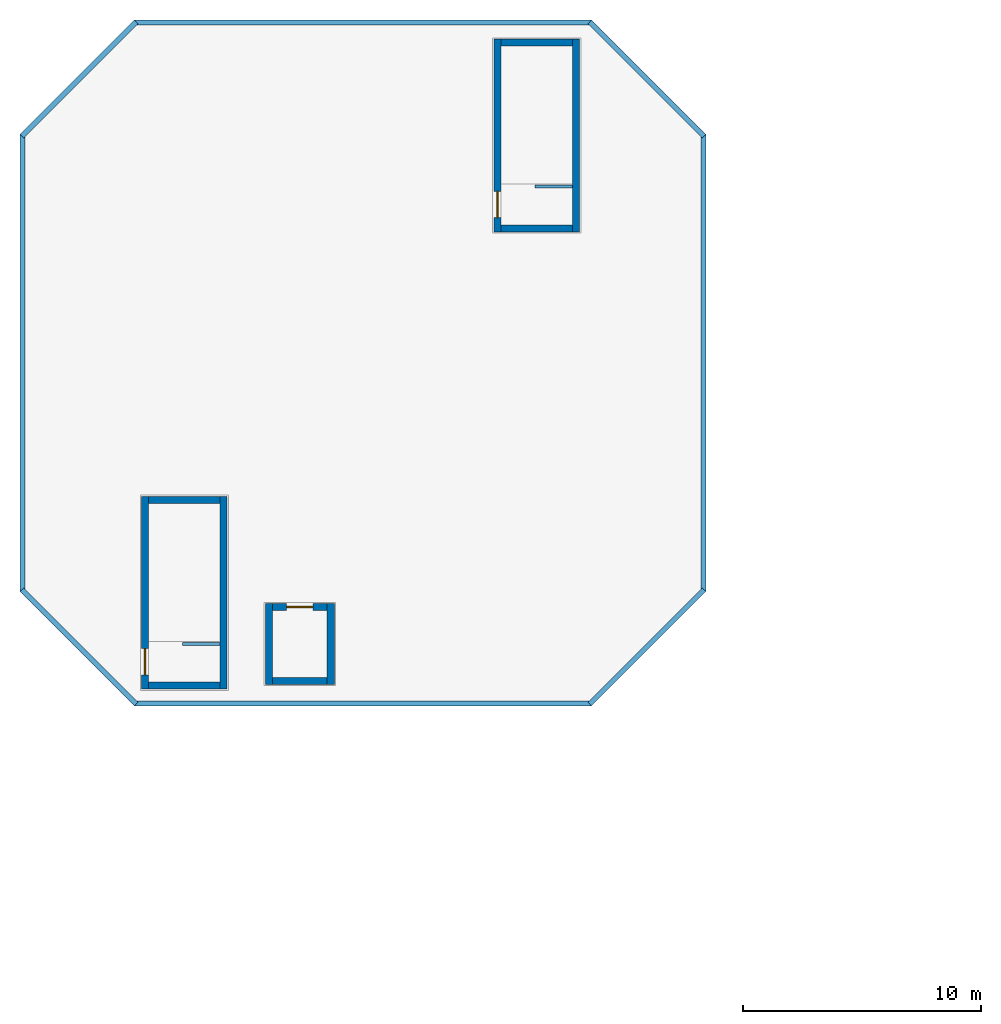
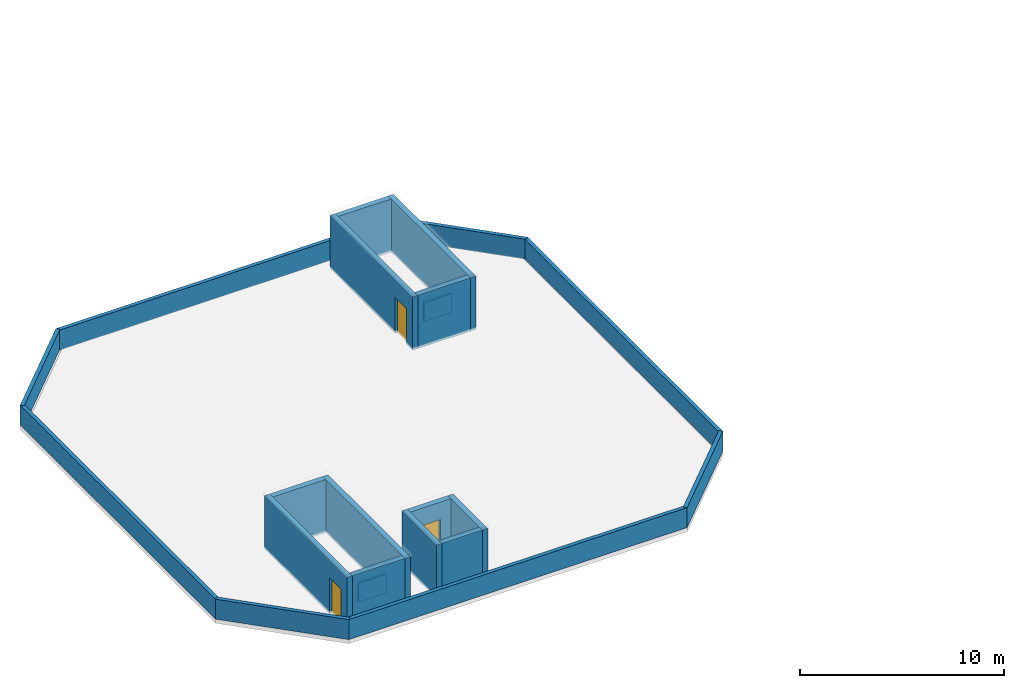
# One storey, part 14 of 22: 22 walls, 3 doors, 3 openings.
"""IFC4 building model written with IfcOpenShell, lengths in metres."""

import ifcopenshell
import ifcopenshell.guid

model = None  # the IFC model being written
_history = None  # IfcOwnerHistory: only IFC2X3 demands one
_inside = {}  # id of a spatial element -> (the spatial element, [elements in it])
_under = {}  # id of a project, library or spatial element -> (it, [spatial elements below it])
_declared = {}  # id of a project -> (the project, [libraries it declares])
_typed = {}  # id of a type object -> (the type object, [elements of that type])
_made_of = {}  # id of a material, layer set ... -> (it, [elements and type objects made of it])


def new_model(schema):
    """Start an empty IFC model of exactly this schema.

    Asked for "IFC4X3", IfcOpenShell would pick the latest addendum, in which some entities
    have other attributes; the version numbers below select the first issue.
    IFC2X3 requires an IfcOwnerHistory on every rooted entity: one is made here for all.
    """
    global model, _history
    if schema == "IFC4X3":
        model = ifcopenshell.file(schema_version=(4, 3, 0, 0))
    else:
        model = ifcopenshell.file(schema=schema)
    _inside.clear()
    _under.clear()
    _declared.clear()
    _typed.clear()
    _made_of.clear()
    _history = None
    if model.schema == "IFC2X3":
        org = make("IfcOrganization", Name="unknown")
        user = make(
            "IfcPersonAndOrganization",
            ThePerson=make("IfcPerson", FamilyName="unknown"),
            TheOrganization=org,
        )
        app = make(
            "IfcApplication",
            ApplicationDeveloper=org,
            Version="unknown",
            ApplicationFullName="unknown",
            ApplicationIdentifier="unknown",
        )
        _history = make(
            "IfcOwnerHistory",
            OwningUser=user,
            OwningApplication=app,
            ChangeAction="ADDED",
            CreationDate=0,
        )
    return model


def make(cls, **values):
    """One entity of the class cls with the attributes given. An attribute that is None is left unset."""
    return model.create_entity(
        cls, **{name: value for name, value in values.items() if value is not None}
    )


def rooted(cls, **values):
    """An entity with a GlobalId (a new one), such as an element, a storey or a relation."""
    return make(cls, GlobalId=ifcopenshell.guid.new(), OwnerHistory=_history, **values)


def si_unit(unit_type, name, prefix=None):
    """IfcSIUnit, for example si_unit("LENGTHUNIT", "METRE", prefix="MILLI")."""
    return make("IfcSIUnit", UnitType=unit_type, Prefix=prefix, Name=name)


def assignment(units):
    """IfcUnitAssignment: the units of a project."""
    return None if units is None else make("IfcUnitAssignment", Units=units)


def point(xyz):
    """IfcCartesianPoint."""
    return None if xyz is None else make("IfcCartesianPoint", Coordinates=xyz)


def direction(xyz):
    """IfcDirection."""
    return None if xyz is None else make("IfcDirection", DirectionRatios=xyz)


def frame(location, z_axis=None, x_axis=None):
    """IfcAxis2Placement3D, a coordinate frame: its origin and axes. An axis left out is left unset."""
    return make(
        "IfcAxis2Placement3D",
        Location=point(location),
        Axis=direction(z_axis),
        RefDirection=direction(x_axis),
    )


def frame_2d(location, x_axis=None):
    """IfcAxis2Placement2D, a coordinate frame in the plane: its origin and x axis."""
    return make(
        "IfcAxis2Placement2D", Location=point(location), RefDirection=direction(x_axis)
    )


def origin():
    """The frame at (0, 0, 0) with its axes left unset."""
    return frame((0.0, 0.0, 0.0))


def place(relative_to, where):
    """IfcLocalPlacement: puts the frame where relative to a parent placement (None: the world)."""
    return make(
        "IfcLocalPlacement", PlacementRelTo=relative_to, RelativePlacement=where
    )


def context(
    kind, dimensions, precision=None, world=None, true_north=None, identifier=None
):
    """IfcGeometricRepresentationContext, for example the 3D "Model" context."""
    return make(
        "IfcGeometricRepresentationContext",
        ContextIdentifier=identifier,
        ContextType=kind,
        CoordinateSpaceDimension=dimensions,
        Precision=precision,
        WorldCoordinateSystem=world,
        TrueNorth=true_north,
    )


def subcontext(parent, identifier, kind, view, scale=None):
    """IfcGeometricRepresentationSubContext, for example "Body" below "Model"."""
    return make(
        "IfcGeometricRepresentationSubContext",
        ContextIdentifier=identifier,
        ContextType=kind,
        ParentContext=parent,
        TargetScale=scale,
        TargetView=view,
    )


def project(units=None, contexts=None):
    """IfcProject with its units and contexts."""
    return rooted(
        "IfcProject",
        Name="project",
        RepresentationContexts=contexts,
        UnitsInContext=assignment(units),
    )


def spatial(cls, under=None, at=None, **own):
    """A site, building, storey or space (cls), placed at a placement, below another one or the project."""
    s = rooted(cls, ObjectPlacement=at, **own)
    if under is not None:
        _under.setdefault(under.id(), (under, []))[1].append(s)
    return s


def profile(cls, at=None, kind="AREA", **sizes):
    """A parametric profile (cls). Its sizes go by their IFC names, for example OverallWidth=200.0."""
    return make(cls, ProfileType=kind, Position=at, **sizes)


def rectangle(**sizes):
    """IfcRectangleProfileDef."""
    return profile("IfcRectangleProfileDef", **sizes)


def extrude(swept, where, along, depth):
    """IfcExtrudedAreaSolid: the profile swept, set in the frame where, extruded along a direction by depth."""
    return make(
        "IfcExtrudedAreaSolid",
        SweptArea=swept,
        Position=where,
        ExtrudedDirection=direction(along),
        Depth=depth,
    )


def shape(context_of_items, identifier, shape_type, items):
    """IfcShapeRepresentation: the items that make up one representation, for example the "Body"."""
    return make(
        "IfcShapeRepresentation",
        ContextOfItems=context_of_items,
        RepresentationIdentifier=identifier,
        RepresentationType=shape_type,
        Items=items,
    )


def material(Name=None, Category=None):
    """IfcMaterial."""
    return make("IfcMaterial", Name=Name, Category=Category)


def layer(
    of_material, thickness, ventilated=None, Name=None, Category=None, Priority=None
):
    """IfcMaterialLayer: one layer of a wall or slab, of a material (None: an air gap)."""
    return make(
        "IfcMaterialLayer",
        Material=of_material,
        LayerThickness=thickness,
        IsVentilated=ventilated,
        Name=Name,
        Category=Category,
        Priority=Priority,
    )


def layer_set(layers, Name=None):
    """IfcMaterialLayerSet."""
    return make("IfcMaterialLayerSet", MaterialLayers=layers, LayerSetName=Name)


def made_of(thing, what):
    """Note that an element or type object is made of a material, layer set ...; save() writes the relation."""
    if what is not None:
        _made_of.setdefault(what.id(), (what, []))[1].append(thing)
    return thing


def type_object(cls, material=None, **own):
    """A type object (cls), such as IfcWallType, which elements share."""
    return made_of(rooted(cls, **own), material)


def element(
    cls,
    number,
    at=None,
    inside=None,
    cuts=None,
    type_object=None,
    material=None,
    context=None,
    identifier="Body",
    shape_type=None,
    held_by="IfcProductDefinitionShape",
    body=None,
    shapes=None,
    **own,
):
    """One element of the class cls, such as IfcWall. Its Tag is "e" and its number.

    at: its placement. inside: the storey or other place that contains it. cuts: it is an
    opening in that element (IfcRelVoidsElement). A single representation is given by context,
    identifier, shape_type and body (its items); several are given by shapes. held_by: the class
    of the entity that holds the representations. save() writes the other relations.
    """
    e = rooted(cls, Tag="e%d" % number, ObjectPlacement=at, **own)
    if body is not None:
        shapes = [shape(context, identifier, shape_type, body)]
    if shapes is not None:
        e.Representation = make(held_by, Representations=shapes)
    if inside is not None:
        _inside.setdefault(inside.id(), (inside, []))[1].append(e)
    if cuts is not None:
        rooted(
            "IfcRelVoidsElement", RelatingBuildingElement=cuts, RelatedOpeningElement=e
        )
    if type_object is not None:
        _typed.setdefault(type_object.id(), (type_object, []))[1].append(e)
    return made_of(e, material)


def fill(opening, filler):
    """IfcRelFillsElement: the door or window that sits in an opening."""
    return rooted(
        "IfcRelFillsElement",
        RelatingOpeningElement=opening,
        RelatedBuildingElement=filler,
    )


def aggregate(whole, parts):
    """IfcRelAggregates: a whole, such as a stair, and the parts it consists of."""
    return rooted("IfcRelAggregates", RelatingObject=whole, RelatedObjects=parts)


def save(model, path):
    """Write the relations noted so far, then the file.

    IfcRelAggregates (storeys below a building ...), IfcRelContainedInSpatialStructure (elements
    in a storey), IfcRelDefinesByType, IfcRelAssociatesMaterial and IfcRelDeclares: one each for
    every whole, place, type object, material and project.
    """
    for whole, parts in _under.values():
        aggregate(whole, parts)
    for where, things in _inside.values():
        rooted(
            "IfcRelContainedInSpatialStructure",
            RelatedElements=things,
            RelatingStructure=where,
        )
    for kind, things in _typed.values():
        rooted("IfcRelDefinesByType", RelatedObjects=things, RelatingType=kind)
    for what, things in _made_of.values():
        rooted("IfcRelAssociatesMaterial", RelatedObjects=things, RelatingMaterial=what)
    for by, libraries in _declared.values():
        rooted("IfcRelDeclares", RelatingContext=by, RelatedDefinitions=libraries)
    model.write(path)


model = new_model("IFC4")

# Units and contexts
model_context = context("Model", 3, precision=1e-05, world=origin(), true_north=direction((0.0, 1.0)))
body_context = subcontext(model_context, "Body", "Model", "MODEL_VIEW")
ifc_project = project(units=[si_unit("LENGTHUNIT", "METRE"), si_unit("AREAUNIT", "SQUARE_METRE"), si_unit("VOLUMEUNIT", "CUBIC_METRE"), si_unit("PLANEANGLEUNIT", "RADIAN"), si_unit("MASSUNIT", "GRAM", prefix="KILO")], contexts=[model_context])

# Site, building, storey
site_placement = place(None, origin())
site = spatial("IfcSite", under=ifc_project, at=site_placement, CompositionType="ELEMENT")
building_placement = place(site_placement, origin())
building = spatial("IfcBuilding", under=site, at=building_placement, Name="Almandine Court Research Institute", CompositionType="ELEMENT")
storey_placement = place(building_placement, frame((0.0, 0.0, 28.0)))
storey = spatial("IfcBuildingStorey", under=building, at=storey_placement, Name="L06", CompositionType="ELEMENT", Elevation=28.0)

# Walls
ifc_material_1 = material(Name="Precast Concrete C40/50", Category="concrete")
ifc_layer_1 = layer(ifc_material_1, 0.2099609375)
ifc_layer_set_1 = layer_set([ifc_layer_1], Name="Precast Concrete C40/50")
wall_type_1 = type_object("IfcWallType", Name="Wall-PAR-210", PredefinedType="PARAPET", material=ifc_layer_set_1)
wall_1_placement = place(storey_placement, frame((10.800048828125, 84.110107421875, 0.0), z_axis=(0.0, 0.0, 1.0), x_axis=(1.0, 0.0, 0.0)))
element("IfcWall", 1, at=wall_1_placement, inside=storey, type_object=wall_type_1, Name="L06 Roof Perimeter Parapet 001", PredefinedType="PARAPET", context=body_context, shape_type="SweptSolid", body=[
    extrude(rectangle(XDim=19.199951171875, YDim=0.2099609375, at=frame_2d((9.60009765625, 0.0))), origin(), (0.0, 0.0, 1.0), 1.199951171875),
])
wall_2_placement = place(storey_placement, frame((29.922119140625, 84.077880859375, 0.0), z_axis=(0.0, 0.0, 1.0), x_axis=(0.707088798028, 0.707124763888, 0.0)))
element("IfcWall", 2, at=wall_2_placement, inside=storey, type_object=wall_type_1, Name="L06 Roof Perimeter Parapet 002", PredefinedType="PARAPET", context=body_context, shape_type="SweptSolid", body=[
    extrude(rectangle(XDim=6.7880859375, YDim=0.2099609375, at=frame_2d((3.39404296875, 0.0))), origin(), (0.0, 0.0, 1.0), 1.199951171875),
])
wall_3_placement = place(storey_placement, frame((34.68994140625, 88.800048828125, 0.0), z_axis=(0.0, 0.0, 1.0), x_axis=(0.0, 1.0, 0.0)))
element("IfcWall", 3, at=wall_3_placement, inside=storey, type_object=wall_type_1, Name="L06 Roof Perimeter Parapet 003", PredefinedType="PARAPET", context=body_context, shape_type="SweptSolid", body=[
    extrude(rectangle(XDim=19.199951171875, YDim=0.2099609375, at=frame_2d((9.60009765625, 0.0))), origin(), (0.0, 0.0, 1.0), 1.199951171875),
])
wall_4_placement = place(storey_placement, frame((34.721923828125, 107.922119140625, 0.0), z_axis=(0.0, 0.0, 1.0), x_axis=(-0.707106781187, 0.707106781187, 0.0)))
element("IfcWall", 4, at=wall_4_placement, inside=storey, type_object=wall_type_1, Name="L06 Roof Perimeter Parapet 004", PredefinedType="PARAPET", context=body_context, shape_type="SweptSolid", body=[
    extrude(rectangle(XDim=6.787841796875, YDim=0.2099609375, at=frame_2d((3.39404296875, 0.0))), origin(), (0.0, 0.0, 1.0), 1.199951171875),
])
wall_5_placement = place(storey_placement, frame((30.0, 112.68994140625, 0.0), z_axis=(0.0, 0.0, 1.0), x_axis=(-1.0, 0.0, 0.0)))
element("IfcWall", 5, at=wall_5_placement, inside=storey, type_object=wall_type_1, Name="L06 Roof Perimeter Parapet 005", PredefinedType="PARAPET", context=body_context, shape_type="SweptSolid", body=[
    extrude(rectangle(XDim=19.199951171875, YDim=0.2099609375, at=frame_2d((9.60009765625, 0.0))), origin(), (0.0, 0.0, 1.0), 1.199951171875),
])
wall_6_placement = place(storey_placement, frame((10.8779296875, 112.721923828125, 0.0), z_axis=(0.0, 0.0, 1.0), x_axis=(-0.707124763888, -0.707088798028, 0.0)))
element("IfcWall", 6, at=wall_6_placement, inside=storey, type_object=wall_type_1, Name="L06 Roof Perimeter Parapet 006", PredefinedType="PARAPET", context=body_context, shape_type="SweptSolid", body=[
    extrude(rectangle(XDim=6.7880859375, YDim=0.2099609375, at=frame_2d((3.39404296875, 0.0))), origin(), (0.0, 0.0, 1.0), 1.199951171875),
])
wall_7_placement = place(storey_placement, frame((6.110107421875, 108.0, 0.0), z_axis=(0.0, 0.0, 1.0), x_axis=(0.0, -1.0, 0.0)))
element("IfcWall", 7, at=wall_7_placement, inside=storey, type_object=wall_type_1, Name="L06 Roof Perimeter Parapet 007", PredefinedType="PARAPET", context=body_context, shape_type="SweptSolid", body=[
    extrude(rectangle(XDim=19.199951171875, YDim=0.2099609375, at=frame_2d((9.60009765625, 0.0))), origin(), (0.0, 0.0, 1.0), 1.199951171875),
])
wall_8_placement = place(storey_placement, frame((6.077880859375, 88.8779296875, 0.0), z_axis=(0.0, 0.0, 1.0), x_axis=(0.707106781187, -0.707106781187, 0.0)))
element("IfcWall", 8, at=wall_8_placement, inside=storey, type_object=wall_type_1, Name="L06 Roof Perimeter Parapet 008", PredefinedType="PARAPET", context=body_context, shape_type="SweptSolid", body=[
    extrude(rectangle(XDim=6.788330078125, YDim=0.2099609375, at=frame_2d((3.39404296875, 0.0))), origin(), (0.0, 0.0, 1.0), 1.199951171875),
])
ifc_material_2 = material(Name="Lightweight Drywall Office Partition")
ifc_layer_2 = layer(ifc_material_2, 0.125)
ifc_layer_set_2 = layer_set([ifc_layer_2], Name="Lightweight Drywall Office Partition")
wall_type_2 = type_object("IfcWallType", Name="Wall-PART-125", PredefinedType="PARTITIONING", material=ifc_layer_set_2)
for number, where, z_axis, x_axis, name in (
    (9, (14.39990234375, 86.60009765625, 0.0), (0.0, 0.0, 1.0), (-1.0, 0.0, 0.0), "L06 ST-05 Penthouse Well Curb Wall 1"),
    (10, (29.199951171875, 105.800048828125, 0.0), (0.0, 0.0, 1.0), (-1.0, 0.0, 0.0), "L06 ST-06 Penthouse Well Curb Wall 1"),
):
    element("IfcWall", number, at=place(storey_placement, frame(where, z_axis=z_axis, x_axis=x_axis)), inside=storey, type_object=wall_type_2, Name=name, PredefinedType="PARTITIONING", context=body_context, shape_type="SweptSolid", body=[
        extrude(rectangle(XDim=1.579833984375, YDim=0.125, at=frame_2d((0.7900390625, 0.0))), origin(), (0.0, 0.0, 1.0), 1.14990234375),
    ])

# Wall, opening, door
ifc_material_3 = material(Name="Concrete C40/50", Category="concrete")
ifc_layer_3 = layer(ifc_material_3, 0.300048828125)
ifc_layer_set_3 = layer_set([ifc_layer_3], Name="Concrete C40/50")
wall_type_3 = type_object("IfcWallType", Name="Wall-SW-CORE-300-E", PredefinedType="SHEAR", material=ifc_layer_set_3)
wall_9_placement = place(storey_placement, frame((11.25, 84.699951171875, 0.0), z_axis=(0.0, 0.0, 1.0), x_axis=(0.0, 1.0, 0.0)))
wall_9 = element("IfcWall", 11, at=wall_9_placement, inside=storey, type_object=wall_type_3, Name="L06 ST-05 Penthouse W Shear Wall", PredefinedType="SHEAR", context=body_context, shape_type="SweptSolid", body=[
    extrude(rectangle(XDim=8.10009765625, YDim=0.300048828125, at=frame_2d((4.050048828125, 0.0))), origin(), (0.0, 0.0, 1.0), 3.199951171875),
])
opening_1_placement = place(wall_9_placement, frame((0.60009765625, 0.0, 0.0)))
opening_1 = element("IfcOpeningElement", 12, at=opening_1_placement, cuts=wall_9, Name="Opening EX-04", PredefinedType="OPENING", context=body_context, shape_type="SweptSolid", body=[
    extrude(rectangle(XDim=1.10009765625, YDim=2.14990234375, at=frame_2d((0.550048828125, 1.074951171875))), frame((0.0, 0.159912109375, 0.0), z_axis=(0.0, -1.0, 0.0), x_axis=(1.0, 0.0, 0.0)), (0.0, 0.0, 1.0), 0.320068359375),
])
ifc_material_4 = material(Name="Painted Steel Exterior Personnel Exit Door", Category="steel")
door_type_1 = type_object("IfcDoorType", Name="Door-EX-1100", OperationType="NOTDEFINED", PredefinedType="DOOR", material=ifc_material_4)
door_1_placement = place(opening_1_placement, origin())
door_1 = element("IfcDoor", 13, at=door_1_placement, inside=storey, type_object=door_type_1, Name="L06 Exit Stair ST-05 Fire Door", OperationType="SINGLE_SWING_RIGHT", OverallHeight=2.14990234375, OverallWidth=1.10009765625, PredefinedType="DOOR", context=body_context, shape_type="SweptSolid", body=[
    extrude(rectangle(XDim=1.10009765625, YDim=2.14990234375, at=frame_2d((0.550048828125, 1.074951171875))), frame((0.0, 0.02490234375, 0.0), z_axis=(0.0, -1.0, 0.0), x_axis=(1.0, 0.0, 0.0)), (0.0, 0.0, 1.0), 0.050048828125),
])
fill(opening_1, door_1)

# Walls
wall_10_placement = place(storey_placement, frame((11.39990234375, 92.64990234375, 0.0), z_axis=(0.0, 0.0, 1.0), x_axis=(1.0, 0.0, 0.0)))
element("IfcWall", 14, at=wall_10_placement, inside=storey, type_object=wall_type_3, Name="L06 ST-05 Penthouse N Shear Wall", PredefinedType="SHEAR", context=body_context, shape_type="SweptSolid", body=[
    extrude(rectangle(XDim=3.0, YDim=0.300048828125, at=frame_2d((1.5, 0.0))), origin(), (0.0, 0.0, 1.0), 3.199951171875),
])
wall_11_placement = place(storey_placement, frame((14.550048828125, 92.800048828125, 0.0), z_axis=(0.0, 0.0, 1.0), x_axis=(0.0, -1.0, 0.0)))
element("IfcWall", 15, at=wall_11_placement, inside=storey, type_object=wall_type_3, Name="L06 ST-05 Penthouse E Shear Wall", PredefinedType="SHEAR", context=body_context, shape_type="SweptSolid", body=[
    extrude(rectangle(XDim=8.10009765625, YDim=0.300048828125, at=frame_2d((4.050048828125, 0.0))), origin(), (0.0, 0.0, 1.0), 3.199951171875),
])
wall_12_placement = place(storey_placement, frame((14.39990234375, 84.85009765625, 0.0), z_axis=(0.0, 0.0, 1.0), x_axis=(-1.0, 0.0, 0.0)))
element("IfcWall", 16, at=wall_12_placement, inside=storey, type_object=wall_type_3, Name="L06 ST-05 Penthouse S Shear Wall", PredefinedType="SHEAR", context=body_context, shape_type="SweptSolid", body=[
    extrude(rectangle(XDim=3.0, YDim=0.300048828125, at=frame_2d((1.5, 0.0))), origin(), (0.0, 0.0, 1.0), 3.199951171875),
])

# Wall, opening, door
wall_13_placement = place(storey_placement, frame((26.050048828125, 103.89990234375, 0.0), z_axis=(0.0, 0.0, 1.0), x_axis=(0.0, 1.0, 0.0)))
wall_13 = element("IfcWall", 17, at=wall_13_placement, inside=storey, type_object=wall_type_3, Name="L06 ST-06 Penthouse W Shear Wall", PredefinedType="SHEAR", context=body_context, shape_type="SweptSolid", body=[
    extrude(rectangle(XDim=8.10009765625, YDim=0.300048828125, at=frame_2d((4.050048828125, 0.0))), origin(), (0.0, 0.0, 1.0), 3.199951171875),
])
opening_2_placement = place(wall_13_placement, frame((0.60009765625, 0.0, 0.0)))
opening_2 = element("IfcOpeningElement", 18, at=opening_2_placement, cuts=wall_13, Name="Opening EX-04", PredefinedType="OPENING", context=body_context, shape_type="SweptSolid", body=[
    extrude(rectangle(XDim=1.10009765625, YDim=2.14990234375, at=frame_2d((0.550048828125, 1.074951171875))), frame((0.0, 0.159912109375, 0.0), z_axis=(0.0, -1.0, 0.0), x_axis=(1.0, 0.0, 0.0)), (0.0, 0.0, 1.0), 0.320068359375),
])
door_2_placement = place(opening_2_placement, origin())
door_2 = element("IfcDoor", 19, at=door_2_placement, inside=storey, type_object=door_type_1, Name="L06 Exit Stair ST-06 Fire Door", OperationType="SINGLE_SWING_LEFT", OverallHeight=2.14990234375, OverallWidth=1.10009765625, PredefinedType="DOOR", context=body_context, shape_type="SweptSolid", body=[
    extrude(rectangle(XDim=1.10009765625, YDim=2.14990234375, at=frame_2d((0.550048828125, 1.074951171875))), frame((0.0, 0.02490234375, 0.0), z_axis=(0.0, -1.0, 0.0), x_axis=(1.0, 0.0, 0.0)), (0.0, 0.0, 1.0), 0.050048828125),
])
fill(opening_2, door_2)

# Walls
wall_14_placement = place(storey_placement, frame((26.199951171875, 111.85009765625, 0.0), z_axis=(0.0, 0.0, 1.0), x_axis=(1.0, 0.0, 0.0)))
element("IfcWall", 20, at=wall_14_placement, inside=storey, type_object=wall_type_3, Name="L06 ST-06 Penthouse N Shear Wall", PredefinedType="SHEAR", context=body_context, shape_type="SweptSolid", body=[
    extrude(rectangle(XDim=3.0, YDim=0.300048828125, at=frame_2d((1.5, 0.0))), origin(), (0.0, 0.0, 1.0), 3.199951171875),
])
wall_15_placement = place(storey_placement, frame((29.35009765625, 112.0, 0.0), z_axis=(0.0, 0.0, 1.0), x_axis=(0.0, -1.0, 0.0)))
element("IfcWall", 21, at=wall_15_placement, inside=storey, type_object=wall_type_3, Name="L06 ST-06 Penthouse E Shear Wall", PredefinedType="SHEAR", context=body_context, shape_type="SweptSolid", body=[
    extrude(rectangle(XDim=8.10009765625, YDim=0.300048828125, at=frame_2d((4.050048828125, 0.0))), origin(), (0.0, 0.0, 1.0), 3.199951171875),
])
wall_16_placement = place(storey_placement, frame((29.199951171875, 104.050048828125, 0.0), z_axis=(0.0, 0.0, 1.0), x_axis=(-1.0, 0.0, 0.0)))
element("IfcWall", 22, at=wall_16_placement, inside=storey, type_object=wall_type_3, Name="L06 ST-06 Penthouse S Shear Wall", PredefinedType="SHEAR", context=body_context, shape_type="SweptSolid", body=[
    extrude(rectangle(XDim=3.0, YDim=0.300048828125, at=frame_2d((1.5, 0.0))), origin(), (0.0, 0.0, 1.0), 3.199951171875),
])
wall_17_placement = place(storey_placement, frame((16.449951171875, 84.89990234375, 0.0), z_axis=(0.0, 0.0, 1.0), x_axis=(0.0, 1.0, 0.0)))
element("IfcWall", 23, at=wall_17_placement, inside=storey, type_object=wall_type_3, Name="L06 PL-02 Overrun W Shear Wall", PredefinedType="SHEAR", context=body_context, shape_type="SweptSolid", body=[
    extrude(rectangle(XDim=3.400146484375, YDim=0.300048828125, at=frame_2d((1.7001953125, 0.0))), origin(), (0.0, 0.0, 1.0), 3.199951171875),
])

# Wall, opening, door
wall_18_placement = place(storey_placement, frame((16.60009765625, 88.14990234375, 0.0), z_axis=(0.0, 0.0, 1.0), x_axis=(1.0, 0.0, 0.0)))
wall_18 = element("IfcWall", 24, at=wall_18_placement, inside=storey, type_object=wall_type_3, Name="L06 PL-02 Overrun N Shear Wall", PredefinedType="SHEAR", context=body_context, shape_type="SweptSolid", body=[
    extrude(rectangle(XDim=2.2998046875, YDim=0.300048828125, at=frame_2d((1.14990234375, 0.0))), origin(), (0.0, 0.0, 1.0), 3.199951171875),
])
opening_3_placement = place(wall_18_placement, frame((0.60009765625, 0.0, 0.0)))
opening_3 = element("IfcOpeningElement", 25, at=opening_3_placement, cuts=wall_18, Name="Opening LD-01E", PredefinedType="OPENING", context=body_context, shape_type="SweptSolid", body=[
    extrude(rectangle(XDim=1.10009765625, YDim=2.14990234375, at=frame_2d((0.550048828125, 1.074951171875))), frame((0.0, 0.159912109375, 0.0), z_axis=(0.0, -1.0, 0.0), x_axis=(1.0, 0.0, 0.0)), (0.0, 0.0, 1.0), 0.320068359375),
])
ifc_material_5 = material(Name="Stainless Steel Lift Landing Sliding Door", Category="steel")
door_type_2 = type_object("IfcDoorType", Name="Door-LD-PASS-1100-EXT", OperationType="SLIDING_TO_LEFT", PredefinedType="USERDEFINED", material=ifc_material_5)
door_3_placement = place(opening_3_placement, origin())
door_3 = element("IfcDoor", 26, at=door_3_placement, inside=storey, type_object=door_type_2, Name="L06 Cleanroom Pavilion Passenger Lift PL-02 Sliding Landing Door", ObjectType="LANDING DOOR", OperationType="SLIDING_TO_LEFT", OverallHeight=2.14990234375, OverallWidth=1.10009765625, PredefinedType="USERDEFINED", context=body_context, shape_type="SweptSolid", body=[
    extrude(rectangle(XDim=1.10009765625, YDim=2.14990234375, at=frame_2d((0.550048828125, 1.074951171875))), frame((0.0, 0.02490234375, 0.0), z_axis=(0.0, -1.0, 0.0), x_axis=(1.0, 0.0, 0.0)), (0.0, 0.0, 1.0), 0.050048828125),
])
fill(opening_3, door_3)

# Walls
wall_19_placement = place(storey_placement, frame((19.050048828125, 88.300048828125, 0.0), z_axis=(0.0, 0.0, 1.0), x_axis=(0.0, -1.0, 0.0)))
element("IfcWall", 27, at=wall_19_placement, inside=storey, type_object=wall_type_3, Name="L06 PL-02 Overrun E Shear Wall", PredefinedType="SHEAR", context=body_context, shape_type="SweptSolid", body=[
    extrude(rectangle(XDim=3.400146484375, YDim=0.300048828125, at=frame_2d((1.7001953125, 0.0))), origin(), (0.0, 0.0, 1.0), 3.199951171875),
])
wall_20_placement = place(storey_placement, frame((18.89990234375, 85.050048828125, 0.0), z_axis=(0.0, 0.0, 1.0), x_axis=(-1.0, 0.0, 0.0)))
element("IfcWall", 28, at=wall_20_placement, inside=storey, type_object=wall_type_3, Name="L06 PL-02 Overrun S Shear Wall", PredefinedType="SHEAR", context=body_context, shape_type="SweptSolid", body=[
    extrude(rectangle(XDim=2.2998046875, YDim=0.300048828125, at=frame_2d((1.14990234375, 0.0))), origin(), (0.0, 0.0, 1.0), 3.199951171875),
])

save(model, "model.ifc")
